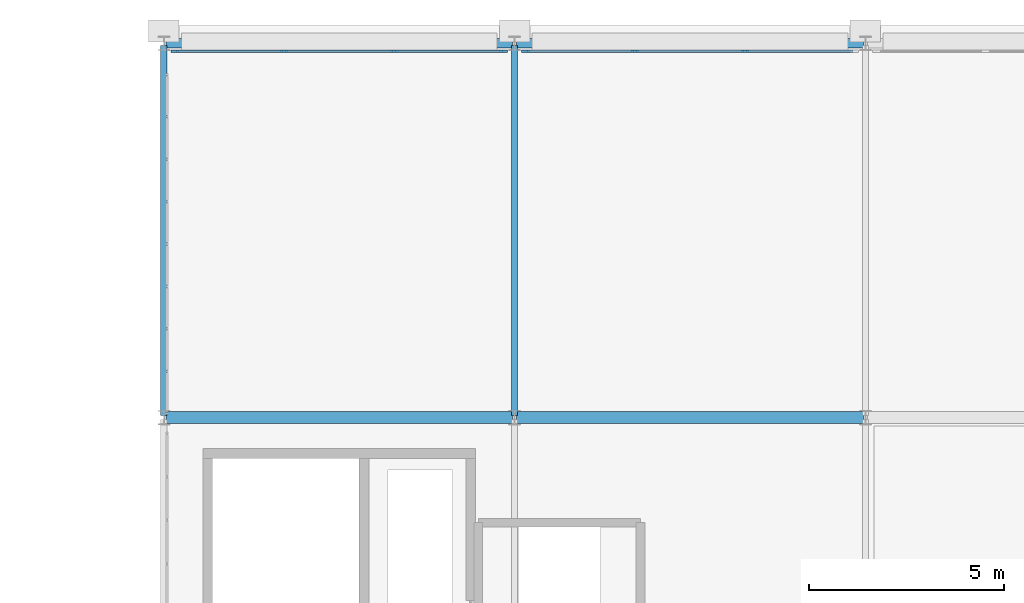
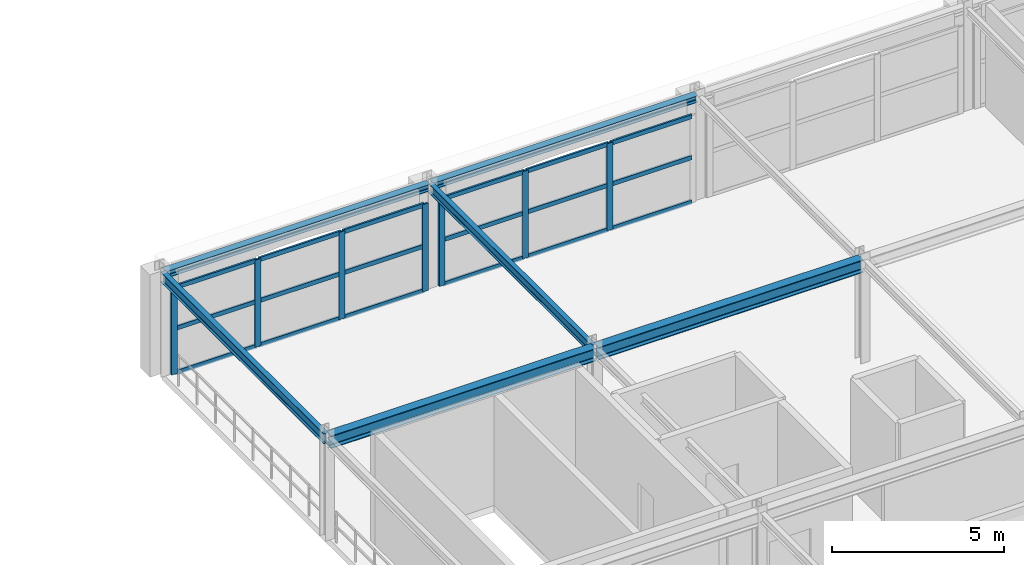
# One storey, part 11 of 25: 25 members, 6 beams, 2 elements without a shape of their own.
"""IFC4 building model written with IfcOpenShell, lengths in metres."""

from ifc_helpers import new_model, si_unit, direction, frame, origin, origin_2d, place, context, subcontext, project, spatial, rectangle, i_section, extrude, material, layer, layer_set, material_profile, profile_set, type_object, element, aggregate, save


model = new_model("IFC4")

# Units and contexts
model_context = context("Model", 3, precision=1e-05, world=origin(), true_north=direction((0.0, 1.0)))
body_context = subcontext(model_context, "Body", "Model", "MODEL_VIEW")
ifc_project = project(units=[si_unit("LENGTHUNIT", "METRE"), si_unit("AREAUNIT", "SQUARE_METRE"), si_unit("VOLUMEUNIT", "CUBIC_METRE"), si_unit("PLANEANGLEUNIT", "RADIAN"), si_unit("MASSUNIT", "GRAM", prefix="KILO")], contexts=[model_context])

# Site, building, storey
site_placement = place(None, origin())
site = spatial("IfcSite", under=ifc_project, at=site_placement, CompositionType="ELEMENT")
building_placement = place(site_placement, origin())
building = spatial("IfcBuilding", under=site, at=building_placement, Name="Myrtia Square Station", CompositionType="ELEMENT")
storey_placement = place(building_placement, frame((0.0, 0.0, 18.89990234375)))
storey = spatial("IfcBuildingStorey", under=building, at=storey_placement, Name="L04", CompositionType="ELEMENT", Elevation=18.89990234375)

# Beams
ifc_material_1 = material(Name="Steel S355", Category="steel")
ifc_material_profile_1 = material_profile(ifc_material_1, i_section(OverallWidth=0.300048828125, OverallDepth=0.449951171875, WebThickness=0.013916015625, FlangeThickness=0.02587890625, FilletRadius=0.027099609375, at=origin_2d()), Name="HEB 450")
ifc_profile_set_1 = profile_set([ifc_material_profile_1], Name="Steel S355")
beam_type_1 = type_object("IfcBeamType", Name="BM-HEB450", PredefinedType="BEAM", material=ifc_profile_set_1)
for number, where, z_axis, x_axis, name in (
    (1, (126.050048828125, 115.199951171875, 3.43017578125), (1.0, 0.0, 0.0), (0.0, 1.0, 0.0), "Structural girder BMX-L04-0887"),
    (2, (135.050048828125, 115.199951171875, 3.43017578125), (1.0, 0.0, 0.0), (0.0, 1.0, 0.0), "Structural girder BMX-L04-0888"),
):
    element("IfcBeam", number, at=place(storey_placement, frame(where, z_axis=z_axis, x_axis=x_axis)), inside=storey, type_object=beam_type_1, Name=name, PredefinedType="BEAM", context=body_context, shape_type="SweptSolid", body=[
        extrude(i_section(OverallWidth=0.300048828125, OverallDepth=0.449951171875, WebThickness=0.013916015625, FlangeThickness=0.02587890625, FilletRadius=0.027099609375, at=origin_2d()), origin(), (0.0, 0.0, 1.0), 8.89990234375),
    ])
ifc_material_profile_2 = material_profile(ifc_material_1, i_section(OverallWidth=0.159912109375, OverallDepth=0.330078125, WebThickness=0.007568359375, FlangeThickness=0.011474609375, FilletRadius=0.01806640625, at=origin_2d()), Name="IPE 330")
ifc_profile_set_2 = profile_set([ifc_material_profile_2], Name="Steel S355")
beam_type_2 = type_object("IfcBeamType", Name="BM-IPE330", PredefinedType="BEAM", material=ifc_profile_set_2)
beam_1_placement = place(storey_placement, frame((135.0, 115.25, 3.489990234375), z_axis=(0.0, 1.0, 0.0), x_axis=(-1.0, 0.0, 0.0)))
element("IfcBeam", 3, at=beam_1_placement, inside=storey, type_object=beam_type_2, Name="Structural girder BMY-L04-0901", PredefinedType="BEAM", context=body_context, shape_type="SweptSolid", body=[
    extrude(i_section(OverallWidth=0.159912109375, OverallDepth=0.330078125, WebThickness=0.007568359375, FlangeThickness=0.011474609375, FilletRadius=0.01806640625, at=origin_2d()), origin(), (0.0, 0.0, 1.0), 9.5),
])
ifc_material_profile_3 = material_profile(ifc_material_1, i_section(OverallWidth=0.169921875, OverallDepth=0.360107421875, WebThickness=0.008056640625, FlangeThickness=0.0126953125, FilletRadius=0.01806640625, at=origin_2d()), Name="IPE 360")
ifc_profile_set_3 = profile_set([ifc_material_profile_3], Name="Steel S355")
beam_type_3 = type_object("IfcBeamType", Name="BM-IPE360", PredefinedType="BEAM", material=ifc_profile_set_3)
beam_2_placement = place(storey_placement, frame((126.0, 115.25, 3.47509765625), z_axis=(0.0, 1.0, 0.0), x_axis=(-1.0, 0.0, 0.0)))
element("IfcBeam", 4, at=beam_2_placement, inside=storey, type_object=beam_type_3, Name="Structural girder BMY-L04-0897", PredefinedType="BEAM", context=body_context, shape_type="SweptSolid", body=[
    extrude(i_section(OverallWidth=0.169921875, OverallDepth=0.360107421875, WebThickness=0.008056640625, FlangeThickness=0.0126953125, FilletRadius=0.01806640625, at=origin_2d()), origin(), (0.0, 0.0, 1.0), 9.5),
])

# Curtain wall, members
ifc_material_2 = material(Name="Dark bronze anodised aluminium", Category="aluminium")
ifc_layer = layer(ifc_material_2, 0.159912109375, Name="Dark bronze anodised aluminium")
ifc_layer_set = layer_set([ifc_layer], Name="Dark bronze anodised aluminium")
curtain_wall_type = type_object("IfcCurtainWallType", Name="CW-TYPE-42-850x310", PredefinedType="USERDEFINED", material=ifc_layer_set)
curtain_wall_1_placement = place(storey_placement, origin())
curtain_wall_1 = element("IfcCurtainWall", 5, at=curtain_wall_1_placement, inside=storey, type_object=curtain_wall_type, Name="Concourse curtain wall CW-L04-121", ObjectType="CONCOURSE CURTAIN WALL", PredefinedType="USERDEFINED")
ifc_material_profile_4 = material_profile(ifc_material_2, rectangle(XDim=0.06494140625, YDim=0.199951171875, at=origin_2d()), Name="ALU-M 65x200")
ifc_profile_set_4 = profile_set([ifc_material_profile_4], Name="Dark bronze anodised aluminium")
member_type_1 = type_object("IfcMemberType", Name="CWM-65x200", PredefinedType="MULLION", material=ifc_profile_set_4)
member_1_placement = place(storey_placement, frame((126.282470703125, 124.60009765625, 0.0), z_axis=(0.0, 0.0, 1.0), x_axis=(0.0, 1.0, 0.0)))
member_1 = element("IfcMember", 6, at=member_1_placement, type_object=member_type_1, Name="CW-121 mullion 1", PredefinedType="MULLION", context=body_context, shape_type="SweptSolid", body=[
    extrude(rectangle(XDim=0.06494140625, YDim=0.199951171875, at=origin_2d()), origin(), (0.0, 0.0, 1.0), 3.10009765625),
])
member_2_placement = place(storey_placement, frame((129.083251953125, 124.60009765625, 0.0), z_axis=(0.0, 0.0, 1.0), x_axis=(0.0, 1.0, 0.0)))
member_2 = element("IfcMember", 7, at=member_2_placement, type_object=member_type_1, Name="CW-121 mullion 2", PredefinedType="MULLION", context=body_context, shape_type="SweptSolid", body=[
    extrude(rectangle(XDim=0.06494140625, YDim=0.199951171875, at=origin_2d()), origin(), (0.0, 0.0, 1.0), 3.10009765625),
])
member_3_placement = place(storey_placement, frame((131.916748046875, 124.60009765625, 0.0), z_axis=(0.0, 0.0, 1.0), x_axis=(0.0, 1.0, 0.0)))
member_3 = element("IfcMember", 8, at=member_3_placement, type_object=member_type_1, Name="CW-121 mullion 3", PredefinedType="MULLION", context=body_context, shape_type="SweptSolid", body=[
    extrude(rectangle(XDim=0.06494140625, YDim=0.199951171875, at=origin_2d()), origin(), (0.0, 0.0, 1.0), 3.10009765625),
])
member_4_placement = place(storey_placement, frame((134.717529296875, 124.60009765625, 0.0), z_axis=(0.0, 0.0, 1.0), x_axis=(0.0, 1.0, 0.0)))
member_4 = element("IfcMember", 9, at=member_4_placement, type_object=member_type_1, Name="CW-121 mullion 4", PredefinedType="MULLION", context=body_context, shape_type="SweptSolid", body=[
    extrude(rectangle(XDim=0.06494140625, YDim=0.199951171875, at=origin_2d()), origin(), (0.0, 0.0, 1.0), 3.10009765625),
])

curtain_wall_2_placement = place(storey_placement, origin())
curtain_wall_2 = element("IfcCurtainWall", 10, at=curtain_wall_2_placement, inside=storey, type_object=curtain_wall_type, Name="Concourse curtain wall CW-L04-126", ObjectType="CONCOURSE CURTAIN WALL", PredefinedType="USERDEFINED")
member_5_placement = place(storey_placement, frame((135.282470703125, 124.60009765625, 0.0), z_axis=(0.0, 0.0, 1.0), x_axis=(0.0, 1.0, 0.0)))
member_5 = element("IfcMember", 11, at=member_5_placement, type_object=member_type_1, Name="CW-126 mullion 1", PredefinedType="MULLION", context=body_context, shape_type="SweptSolid", body=[
    extrude(rectangle(XDim=0.06494140625, YDim=0.199951171875, at=origin_2d()), origin(), (0.0, 0.0, 1.0), 3.10009765625),
])
member_6_placement = place(storey_placement, frame((138.083251953125, 124.60009765625, 0.0), z_axis=(0.0, 0.0, 1.0), x_axis=(0.0, 1.0, 0.0)))
member_6 = element("IfcMember", 12, at=member_6_placement, type_object=member_type_1, Name="CW-126 mullion 2", PredefinedType="MULLION", context=body_context, shape_type="SweptSolid", body=[
    extrude(rectangle(XDim=0.06494140625, YDim=0.199951171875, at=origin_2d()), origin(), (0.0, 0.0, 1.0), 3.10009765625),
])
member_7_placement = place(storey_placement, frame((140.916748046875, 124.60009765625, 0.0), z_axis=(0.0, 0.0, 1.0), x_axis=(0.0, 1.0, 0.0)))
member_7 = element("IfcMember", 13, at=member_7_placement, type_object=member_type_1, Name="CW-126 mullion 3", PredefinedType="MULLION", context=body_context, shape_type="SweptSolid", body=[
    extrude(rectangle(XDim=0.06494140625, YDim=0.199951171875, at=origin_2d()), origin(), (0.0, 0.0, 1.0), 3.10009765625),
])

# Member
ifc_material_profile_5 = material_profile(ifc_material_2, rectangle(XDim=0.06494140625, YDim=0.14990234375, at=origin_2d()), Name="ALU-T 65x150")
ifc_profile_set_5 = profile_set([ifc_material_profile_5], Name="Dark bronze anodised aluminium")
member_type_2 = type_object("IfcMemberType", Name="CWT-65x150", PredefinedType="USERDEFINED", material=ifc_profile_set_5)
member_8_placement = place(storey_placement, frame((126.31494140625, 124.60009765625, 0.03271484375), z_axis=(1.0, 0.0, 0.0), x_axis=(0.0, 1.0, 0.0)))
member_8 = element("IfcMember", 14, at=member_8_placement, type_object=member_type_2, Name="CW-121 transom 1.1", ObjectType="TRANSOM", PredefinedType="USERDEFINED", context=body_context, shape_type="SweptSolid", body=[
    extrude(rectangle(XDim=0.06494140625, YDim=0.14990234375, at=origin_2d()), origin(), (0.0, 0.0, 1.0), 2.73583984375),
])

member_9_placement = place(storey_placement, frame((126.31494140625, 124.60009765625, 1.612060546875), z_axis=(1.0, 0.0, 0.0), x_axis=(0.0, 1.0, 0.0)))
member_9 = element("IfcMember", 15, at=member_9_placement, type_object=member_type_2, Name="CW-121 transom 1.2", ObjectType="TRANSOM", PredefinedType="USERDEFINED", context=body_context, shape_type="SweptSolid", body=[
    extrude(rectangle(XDim=0.06494140625, YDim=0.14990234375, at=origin_2d()), origin(), (0.0, 0.0, 1.0), 2.73583984375),
])

member_10_placement = place(storey_placement, frame((126.31494140625, 124.60009765625, 3.067626953125), z_axis=(1.0, 0.0, 0.0), x_axis=(0.0, 1.0, 0.0)))
member_10 = element("IfcMember", 16, at=member_10_placement, type_object=member_type_2, Name="CW-121 transom 1.3", ObjectType="TRANSOM", PredefinedType="USERDEFINED", context=body_context, shape_type="SweptSolid", body=[
    extrude(rectangle(XDim=0.06494140625, YDim=0.14990234375, at=origin_2d()), origin(), (0.0, 0.0, 1.0), 2.73583984375),
])

member_11_placement = place(storey_placement, frame((129.11572265625, 124.60009765625, 0.03271484375), z_axis=(1.0, 0.0, 0.0), x_axis=(0.0, 1.0, 0.0)))
member_11 = element("IfcMember", 17, at=member_11_placement, type_object=member_type_2, Name="CW-121 transom 2.1", ObjectType="TRANSOM", PredefinedType="USERDEFINED", context=body_context, shape_type="SweptSolid", body=[
    extrude(rectangle(XDim=0.06494140625, YDim=0.14990234375, at=origin_2d()), origin(), (0.0, 0.0, 1.0), 2.7685546875),
])

member_12_placement = place(storey_placement, frame((129.11572265625, 124.60009765625, 1.612060546875), z_axis=(1.0, 0.0, 0.0), x_axis=(0.0, 1.0, 0.0)))
member_12 = element("IfcMember", 18, at=member_12_placement, type_object=member_type_2, Name="CW-121 transom 2.2", ObjectType="TRANSOM", PredefinedType="USERDEFINED", context=body_context, shape_type="SweptSolid", body=[
    extrude(rectangle(XDim=0.06494140625, YDim=0.14990234375, at=origin_2d()), origin(), (0.0, 0.0, 1.0), 2.7685546875),
])

member_13_placement = place(storey_placement, frame((129.11572265625, 124.60009765625, 3.067626953125), z_axis=(1.0, 0.0, 0.0), x_axis=(0.0, 1.0, 0.0)))
member_13 = element("IfcMember", 19, at=member_13_placement, type_object=member_type_2, Name="CW-121 transom 2.3", ObjectType="TRANSOM", PredefinedType="USERDEFINED", context=body_context, shape_type="SweptSolid", body=[
    extrude(rectangle(XDim=0.06494140625, YDim=0.14990234375, at=origin_2d()), origin(), (0.0, 0.0, 1.0), 2.7685546875),
])

member_14_placement = place(storey_placement, frame((131.94921875, 124.60009765625, 0.03271484375), z_axis=(1.0, 0.0, 0.0), x_axis=(0.0, 1.0, 0.0)))
member_14 = element("IfcMember", 20, at=member_14_placement, type_object=member_type_2, Name="CW-121 transom 3.1", ObjectType="TRANSOM", PredefinedType="USERDEFINED", context=body_context, shape_type="SweptSolid", body=[
    extrude(rectangle(XDim=0.06494140625, YDim=0.14990234375, at=origin_2d()), origin(), (0.0, 0.0, 1.0), 2.73583984375),
])

member_15_placement = place(storey_placement, frame((131.94921875, 124.60009765625, 1.612060546875), z_axis=(1.0, 0.0, 0.0), x_axis=(0.0, 1.0, 0.0)))
member_15 = element("IfcMember", 21, at=member_15_placement, type_object=member_type_2, Name="CW-121 transom 3.2", ObjectType="TRANSOM", PredefinedType="USERDEFINED", context=body_context, shape_type="SweptSolid", body=[
    extrude(rectangle(XDim=0.06494140625, YDim=0.14990234375, at=origin_2d()), origin(), (0.0, 0.0, 1.0), 2.73583984375),
])

member_16_placement = place(storey_placement, frame((131.94921875, 124.60009765625, 3.067626953125), z_axis=(1.0, 0.0, 0.0), x_axis=(0.0, 1.0, 0.0)))
member_16 = element("IfcMember", 22, at=member_16_placement, type_object=member_type_2, Name="CW-121 transom 3.3", ObjectType="TRANSOM", PredefinedType="USERDEFINED", context=body_context, shape_type="SweptSolid", body=[
    extrude(rectangle(XDim=0.06494140625, YDim=0.14990234375, at=origin_2d()), origin(), (0.0, 0.0, 1.0), 2.73583984375),
])

aggregate(curtain_wall_1, [member_1, member_2, member_3, member_4, member_8, member_9, member_10, member_11, member_12, member_13, member_14, member_15, member_16])

member_17_placement = place(storey_placement, frame((135.31494140625, 124.60009765625, 0.03271484375), z_axis=(1.0, 0.0, 0.0), x_axis=(0.0, 1.0, 0.0)))
member_17 = element("IfcMember", 23, at=member_17_placement, type_object=member_type_2, Name="CW-126 transom 1.1", ObjectType="TRANSOM", PredefinedType="USERDEFINED", context=body_context, shape_type="SweptSolid", body=[
    extrude(rectangle(XDim=0.06494140625, YDim=0.14990234375, at=origin_2d()), origin(), (0.0, 0.0, 1.0), 2.73583984375),
])

member_18_placement = place(storey_placement, frame((135.31494140625, 124.60009765625, 1.612060546875), z_axis=(1.0, 0.0, 0.0), x_axis=(0.0, 1.0, 0.0)))
member_18 = element("IfcMember", 24, at=member_18_placement, type_object=member_type_2, Name="CW-126 transom 1.2", ObjectType="TRANSOM", PredefinedType="USERDEFINED", context=body_context, shape_type="SweptSolid", body=[
    extrude(rectangle(XDim=0.06494140625, YDim=0.14990234375, at=origin_2d()), origin(), (0.0, 0.0, 1.0), 2.73583984375),
])

member_19_placement = place(storey_placement, frame((135.31494140625, 124.60009765625, 3.067626953125), z_axis=(1.0, 0.0, 0.0), x_axis=(0.0, 1.0, 0.0)))
member_19 = element("IfcMember", 25, at=member_19_placement, type_object=member_type_2, Name="CW-126 transom 1.3", ObjectType="TRANSOM", PredefinedType="USERDEFINED", context=body_context, shape_type="SweptSolid", body=[
    extrude(rectangle(XDim=0.06494140625, YDim=0.14990234375, at=origin_2d()), origin(), (0.0, 0.0, 1.0), 2.73583984375),
])

member_20_placement = place(storey_placement, frame((138.11572265625, 124.60009765625, 0.03271484375), z_axis=(1.0, 0.0, 0.0), x_axis=(0.0, 1.0, 0.0)))
member_20 = element("IfcMember", 26, at=member_20_placement, type_object=member_type_2, Name="CW-126 transom 2.1", ObjectType="TRANSOM", PredefinedType="USERDEFINED", context=body_context, shape_type="SweptSolid", body=[
    extrude(rectangle(XDim=0.06494140625, YDim=0.14990234375, at=origin_2d()), origin(), (0.0, 0.0, 1.0), 2.7685546875),
])

member_21_placement = place(storey_placement, frame((138.11572265625, 124.60009765625, 1.612060546875), z_axis=(1.0, 0.0, 0.0), x_axis=(0.0, 1.0, 0.0)))
member_21 = element("IfcMember", 27, at=member_21_placement, type_object=member_type_2, Name="CW-126 transom 2.2", ObjectType="TRANSOM", PredefinedType="USERDEFINED", context=body_context, shape_type="SweptSolid", body=[
    extrude(rectangle(XDim=0.06494140625, YDim=0.14990234375, at=origin_2d()), origin(), (0.0, 0.0, 1.0), 2.7685546875),
])

member_22_placement = place(storey_placement, frame((138.11572265625, 124.60009765625, 3.067626953125), z_axis=(1.0, 0.0, 0.0), x_axis=(0.0, 1.0, 0.0)))
member_22 = element("IfcMember", 28, at=member_22_placement, type_object=member_type_2, Name="CW-126 transom 2.3", ObjectType="TRANSOM", PredefinedType="USERDEFINED", context=body_context, shape_type="SweptSolid", body=[
    extrude(rectangle(XDim=0.06494140625, YDim=0.14990234375, at=origin_2d()), origin(), (0.0, 0.0, 1.0), 2.7685546875),
])

member_23_placement = place(storey_placement, frame((140.94921875, 124.60009765625, 0.03271484375), z_axis=(1.0, 0.0, 0.0), x_axis=(0.0, 1.0, 0.0)))
member_23 = element("IfcMember", 29, at=member_23_placement, type_object=member_type_2, Name="CW-126 transom 3.1", ObjectType="TRANSOM", PredefinedType="USERDEFINED", context=body_context, shape_type="SweptSolid", body=[
    extrude(rectangle(XDim=0.06494140625, YDim=0.14990234375, at=origin_2d()), origin(), (0.0, 0.0, 1.0), 2.73583984375),
])

member_24_placement = place(storey_placement, frame((140.94921875, 124.60009765625, 1.612060546875), z_axis=(1.0, 0.0, 0.0), x_axis=(0.0, 1.0, 0.0)))
member_24 = element("IfcMember", 30, at=member_24_placement, type_object=member_type_2, Name="CW-126 transom 3.2", ObjectType="TRANSOM", PredefinedType="USERDEFINED", context=body_context, shape_type="SweptSolid", body=[
    extrude(rectangle(XDim=0.06494140625, YDim=0.14990234375, at=origin_2d()), origin(), (0.0, 0.0, 1.0), 2.73583984375),
])

member_25_placement = place(storey_placement, frame((140.94921875, 124.60009765625, 3.067626953125), z_axis=(1.0, 0.0, 0.0), x_axis=(0.0, 1.0, 0.0)))
member_25 = element("IfcMember", 31, at=member_25_placement, type_object=member_type_2, Name="CW-126 transom 3.3", ObjectType="TRANSOM", PredefinedType="USERDEFINED", context=body_context, shape_type="SweptSolid", body=[
    extrude(rectangle(XDim=0.06494140625, YDim=0.14990234375, at=origin_2d()), origin(), (0.0, 0.0, 1.0), 2.73583984375),
])

aggregate(curtain_wall_2, [member_5, member_6, member_7, member_17, member_18, member_19, member_20, member_21, member_22, member_23, member_24, member_25])

# Beams
ifc_material_profile_6 = material_profile(ifc_material_1, i_section(OverallWidth=0.239990234375, OverallDepth=0.239990234375, WebThickness=0.010009765625, FlangeThickness=0.01708984375, FilletRadius=0.02099609375, at=origin_2d()), Name="HEB 240")
ifc_profile_set_6 = profile_set([ifc_material_profile_6], Name="Steel S355")
beam_type_4 = type_object("IfcBeamType", Name="SPN-HEB240", PredefinedType="SPANDREL", material=ifc_profile_set_6)
for number, where, z_axis, x_axis, name in (
    (32, (126.050048828125, 124.800048828125, 3.53515625), (1.0, 0.0, 0.0), (0.0, 1.0, 0.0), "Structural girder SPN-L04-0265"),
    (33, (135.050048828125, 124.800048828125, 3.53515625), (1.0, 0.0, 0.0), (0.0, 1.0, 0.0), "Structural girder SPN-L04-0266"),
):
    element("IfcBeam", number, at=place(storey_placement, frame(where, z_axis=z_axis, x_axis=x_axis)), inside=storey, type_object=beam_type_4, Name=name, PredefinedType="SPANDREL", context=body_context, shape_type="SweptSolid", body=[
        extrude(i_section(OverallWidth=0.239990234375, OverallDepth=0.239990234375, WebThickness=0.010009765625, FlangeThickness=0.01708984375, FilletRadius=0.02099609375, at=origin_2d()), origin(), (0.0, 0.0, 1.0), 8.89990234375),
    ])

save(model, "model.ifc")
